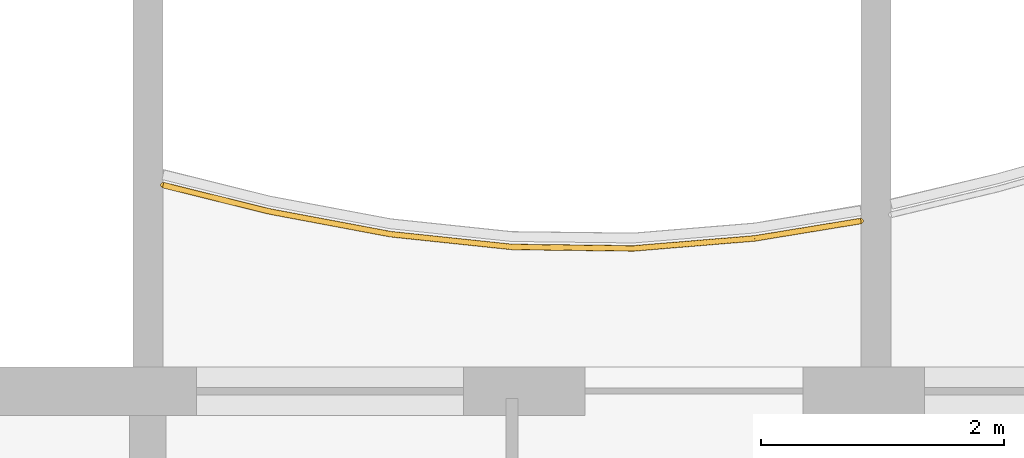
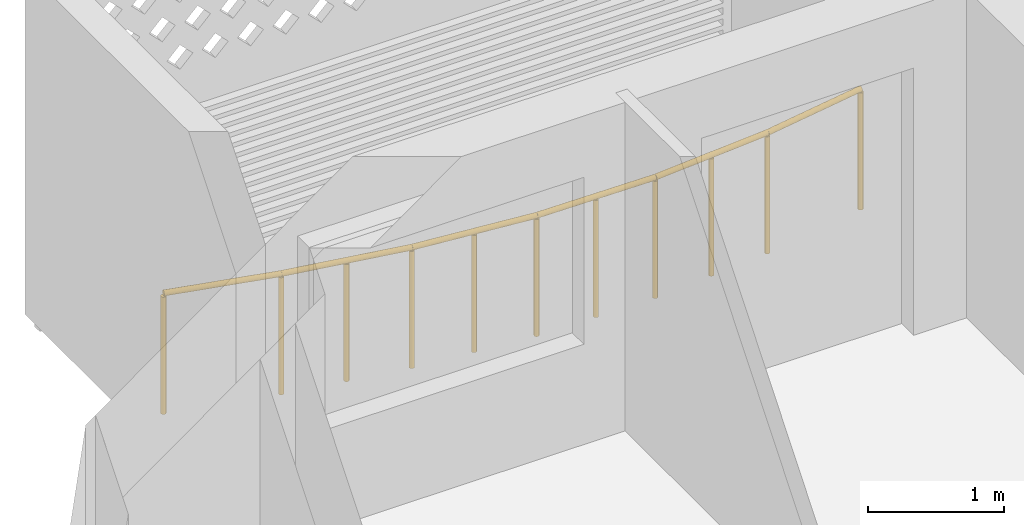
# One storey, part 15 of 26: 1 railing.
"""IFC4 building model written with IfcOpenShell, lengths in metres."""

from ifc_helpers import new_model, si_unit, direction, frame, origin, origin_2d, place, context, subcontext, project, spatial, circle, extrude, material, type_object, element, save


model = new_model("IFC4")

# Units and contexts
model_context = context("Model", 3, precision=1e-05, world=origin(), true_north=direction((0.0, 1.0)))
body_context = subcontext(model_context, "Body", "Model", "MODEL_VIEW")
ifc_project = project(units=[si_unit("LENGTHUNIT", "METRE"), si_unit("AREAUNIT", "SQUARE_METRE"), si_unit("VOLUMEUNIT", "CUBIC_METRE"), si_unit("PLANEANGLEUNIT", "RADIAN"), si_unit("MASSUNIT", "GRAM", prefix="KILO")], contexts=[model_context])

# Site, building, storey
site_placement = place(None, origin())
site = spatial("IfcSite", under=ifc_project, at=site_placement, CompositionType="ELEMENT")
building_placement = place(site_placement, origin())
building = spatial("IfcBuilding", under=site, at=building_placement, Name="Poui Terraces", CompositionType="ELEMENT")
storey_placement = place(building_placement, frame((0.0, 0.0, 162.0)))
storey = spatial("IfcBuildingStorey", under=building, at=storey_placement, Name="L45", CompositionType="ELEMENT", Elevation=162.0)

# Railing
ifc_material = material(Name="Painted steel fretwork", Category="steel")
railing_type = type_object("IfcRailingType", Name="BALCONY GUARD 1100", PredefinedType="GUARDRAIL", material=ifc_material)
railing_placement = place(storey_placement, frame((24.125, 44.098388671875, 0.0)))
element("IfcRailing", 1, at=railing_placement, inside=storey, type_object=railing_type, Name="BALCONY GUARD", PredefinedType="GUARDRAIL", context=body_context, shape_type="SweptSolid", body=[
    extrude(circle(Radius=0.02392578125, at=origin_2d()), frame((0.0, 0.0, 1.076171875), z_axis=(0.970650152273, -0.240495908264, 0.0), x_axis=(0.240495908264, 0.970650152273, 0.0)), (0.0, 0.0, 1.0), 0.9013671875),
    extrude(circle(Radius=0.02392578125, at=origin_2d()), frame((0.875, -0.216796875, 1.076171875), z_axis=(0.982828697247, -0.184520329146, 0.0), x_axis=(0.184520329146, 0.982828697247, 0.0)), (0.0, 0.0, 1.0), 1.017578125),
    extrude(circle(Radius=0.02392578125, at=origin_2d()), frame((1.875, -0.404541015625, 1.076171875), z_axis=(0.994509443434, -0.104646867705, 0.0), x_axis=(0.104646867705, 0.994509443434, 0.0)), (0.0, 0.0, 1.0), 1.005615234375),
    extrude(circle(Radius=0.02392578125, at=origin_2d()), frame((2.875, -0.509765625, 1.076171875), z_axis=(0.999928452303, -0.011962034708, 0.0), x_axis=(0.011962034708, 0.999928452303, 0.0)), (0.0, 0.0, 1.0), 1.0),
    extrude(circle(Radius=0.02392578125, at=origin_2d()), frame((3.875, -0.521728515625, 1.076171875), z_axis=(0.99661255374, 0.082240000773, 0.0), x_axis=(-0.082240000773, 0.99661255374, 0.0)), (0.0, 0.0, 1.0), 1.00341796875),
    extrude(circle(Radius=0.02392578125, at=origin_2d()), frame((4.875, -0.439208984375, 1.076171875), z_axis=(0.986851434927, 0.16162996437, 0.0), x_axis=(-0.16162996437, 0.986851434927, 0.0)), (0.0, 0.0, 1.0), 0.88671875),
    extrude(circle(Radius=0.02099609375, at=origin_2d()), origin(), (0.0, 0.0, 1.0), 1.052001953125),
    extrude(circle(Radius=0.02099609375, at=origin_2d()), frame((0.875, -0.216796875, 0.0)), (0.0, 0.0, 1.0), 1.052001953125),
    extrude(circle(Radius=0.02099609375, at=origin_2d()), frame((1.375, -0.310546875, 0.0)), (0.0, 0.0, 1.0), 1.052001953125),
    extrude(circle(Radius=0.02099609375, at=origin_2d()), frame((1.875, -0.404541015625, 0.0)), (0.0, 0.0, 1.0), 1.052001953125),
    extrude(circle(Radius=0.02099609375, at=origin_2d()), frame((2.375, -0.45703125, 0.0)), (0.0, 0.0, 1.0), 1.052001953125),
    extrude(circle(Radius=0.02099609375, at=origin_2d()), frame((2.875, -0.509765625, 0.0)), (0.0, 0.0, 1.0), 1.052001953125),
    extrude(circle(Radius=0.02099609375, at=origin_2d()), frame((3.375, -0.515625, 0.0)), (0.0, 0.0, 1.0), 1.052001953125),
    extrude(circle(Radius=0.02099609375, at=origin_2d()), frame((3.875, -0.521728515625, 0.0)), (0.0, 0.0, 1.0), 1.052001953125),
    extrude(circle(Radius=0.02099609375, at=origin_2d()), frame((4.375, -0.48046875, 0.0)), (0.0, 0.0, 1.0), 1.052001953125),
    extrude(circle(Radius=0.02099609375, at=origin_2d()), frame((4.875, -0.439208984375, 0.0)), (0.0, 0.0, 1.0), 1.052001953125),
    extrude(circle(Radius=0.02099609375, at=origin_2d()), frame((5.75, -0.2958984375, 0.0)), (0.0, 0.0, 1.0), 1.052001953125),
])

save(model, "model.ifc")
